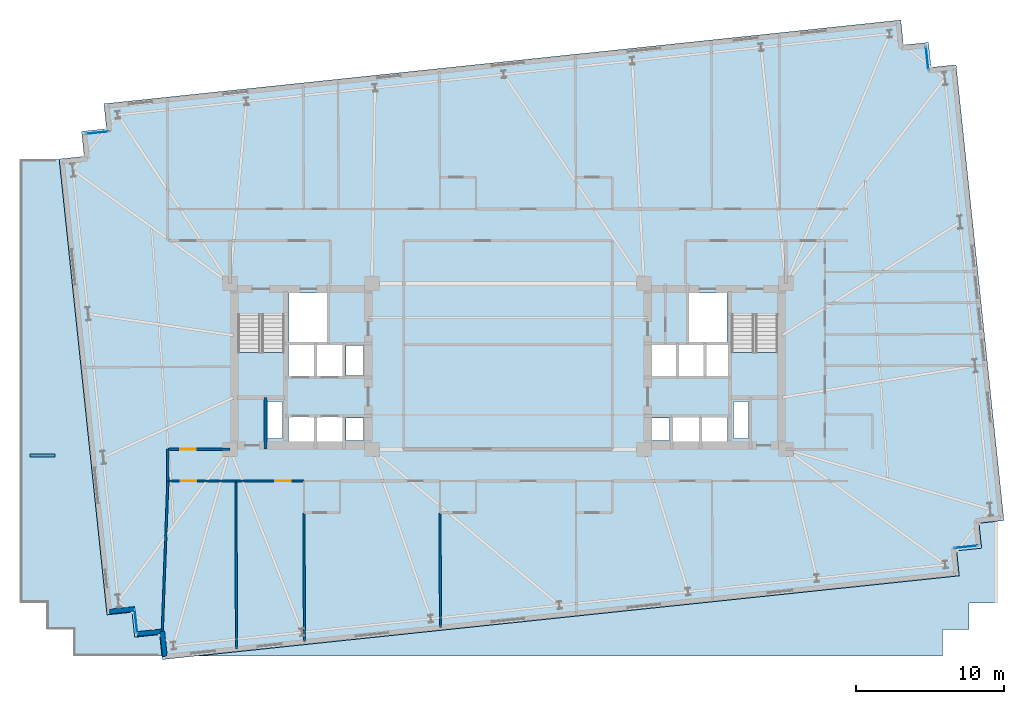
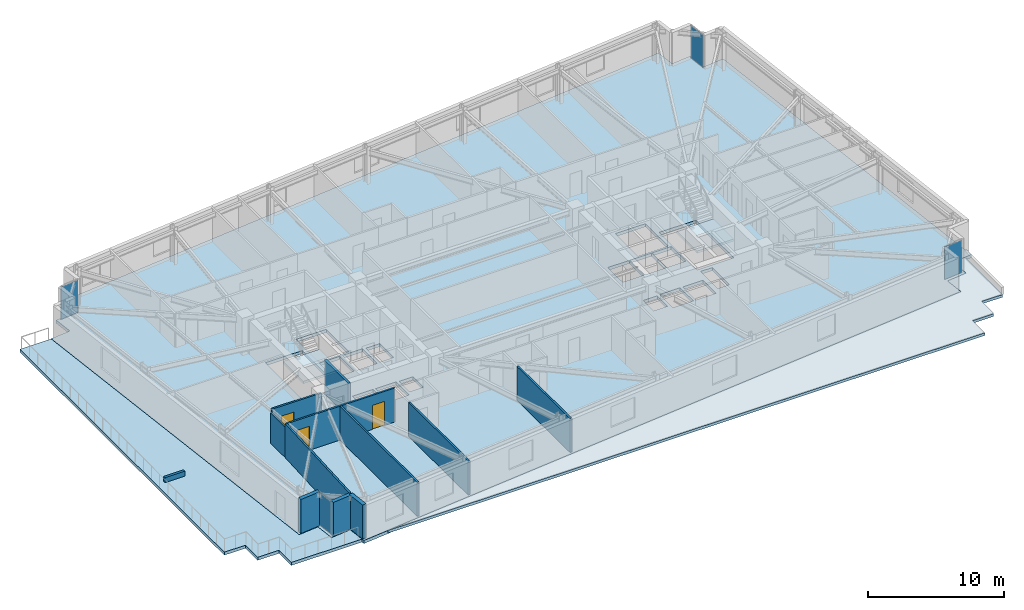
# One storey, part 11 of 20: 13 walls, 5 slabs, 4 plates, 3 doors, 3 openings, 6 elements without a shape of their own.
"""IFC4 building model written with IfcOpenShell, lengths in metres."""

from ifc_helpers import new_model, si_unit, direction, frame, frame_2d, origin, origin_2d, place, context, subcontext, project, spatial, polyline, rectangle, outline, extrude, material, layer, layer_set, type_object, element, fill, aggregate, save


model = new_model("IFC4")

# Units and contexts
model_context = context("Model", 3, precision=1e-05, world=origin(), true_north=direction((0.0, 1.0)))
body_context = subcontext(model_context, "Body", "Model", "MODEL_VIEW")
ifc_project = project(units=[si_unit("LENGTHUNIT", "METRE"), si_unit("AREAUNIT", "SQUARE_METRE"), si_unit("VOLUMEUNIT", "CUBIC_METRE"), si_unit("PLANEANGLEUNIT", "RADIAN"), si_unit("MASSUNIT", "GRAM", prefix="KILO")], contexts=[model_context])

# Site, building, storey
site_placement = place(None, origin())
site = spatial("IfcSite", under=ifc_project, at=site_placement, CompositionType="ELEMENT")
building_placement = place(site_placement, origin())
building = spatial("IfcBuilding", under=site, at=building_placement, Name="Qobustan Lattice House", CompositionType="ELEMENT")
storey_placement = place(building_placement, frame((0.0, 0.0, 79.0)))
storey = spatial("IfcBuildingStorey", under=building, at=storey_placement, Name="L21", CompositionType="ELEMENT", Elevation=79.0)

# Curtain wall, plate
ifc_material_1 = material(Name="Anodised aluminium and low-E glazing", Category="aluminium")
ifc_layer_1 = layer(ifc_material_1, 0.219970703125)
ifc_layer_set_1 = layer_set([ifc_layer_1], Name="Anodised aluminium and low-E glazing")
curtain_wall_type = type_object("IfcCurtainWallType", Name="CW-FAC-01", PredefinedType="USERDEFINED", material=ifc_layer_set_1)
curtain_wall_1_placement = place(storey_placement, origin())
curtain_wall_1 = element("IfcCurtainWall", 1, at=curtain_wall_1_placement, inside=storey, type_object=curtain_wall_type, Name="L21 serrated corner faceted glazing 3", ObjectType="CURTAIN WALL", PredefinedType="USERDEFINED")
ifc_material_2 = material(Name="Clear low-E laminated glass", Category="glass")
ifc_layer_2 = layer(ifc_material_2, 0.031982421875)
ifc_layer_set_2 = layer_set([ifc_layer_2], Name="Clear low-E laminated glass")
plate_type = type_object("IfcPlateType", Name="CWP-VISION-32", PredefinedType="CURTAIN_PANEL", material=ifc_layer_set_2)
plate_1_placement = place(storey_placement, frame((-25.155029296875, -17.2509765625, 0.06494140625), z_axis=(0.0, 0.0, 1.0), x_axis=(-0.104528620025, 0.994521878892, 0.0)))
plate_1 = element("IfcPlate", 2, at=plate_1_placement, type_object=plate_type, Name="CW-F1 panel 1.1", PredefinedType="CURTAIN_PANEL", context=body_context, shape_type="SweptSolid", body=[
    extrude(rectangle(XDim=1.56005859375, YDim=0.031982421875, at=origin_2d()), origin(), (0.0, 0.0, 1.0), 2.9150390625),
])
aggregate(curtain_wall_1, [plate_1])

curtain_wall_2_placement = place(storey_placement, origin())
curtain_wall_2 = element("IfcCurtainWall", 3, at=curtain_wall_2_placement, inside=storey, type_object=curtain_wall_type, Name="L21 serrated corner faceted glazing 8", ObjectType="CURTAIN WALL", PredefinedType="USERDEFINED")
plate_2_placement = place(storey_placement, frame((-27.77490234375, 15.80615234375, 0.06494140625), z_axis=(0.0, 0.0, 1.0), x_axis=(0.994521878892, 0.104528620025, 0.0)))
plate_2 = element("IfcPlate", 4, at=plate_2_placement, type_object=plate_type, Name="CW-F1 panel 1.1", PredefinedType="CURTAIN_PANEL", context=body_context, shape_type="SweptSolid", body=[
    extrude(rectangle(XDim=1.56005859375, YDim=0.031982421875, at=origin_2d()), origin(), (0.0, 0.0, 1.0), 2.9150390625),
])
aggregate(curtain_wall_2, [plate_2])

curtain_wall_3_placement = place(storey_placement, origin())
curtain_wall_3 = element("IfcCurtainWall", 5, at=curtain_wall_3_placement, inside=storey, type_object=curtain_wall_type, Name="L21 serrated corner faceted glazing 13", ObjectType="CURTAIN WALL", PredefinedType="USERDEFINED")
plate_3_placement = place(storey_placement, frame((28.355224609375, 20.85107421875, 0.06494140625), z_axis=(0.0, 0.0, 1.0), x_axis=(0.104528620025, -0.994521878892, 0.0)))
plate_3 = element("IfcPlate", 6, at=plate_3_placement, type_object=plate_type, Name="CW-F1 panel 1.1", PredefinedType="CURTAIN_PANEL", context=body_context, shape_type="SweptSolid", body=[
    extrude(rectangle(XDim=1.56005859375, YDim=0.031982421875, at=origin_2d()), origin(), (0.0, 0.0, 1.0), 2.9150390625),
])
aggregate(curtain_wall_3, [plate_3])

curtain_wall_4_placement = place(storey_placement, origin())
curtain_wall_4 = element("IfcCurtainWall", 7, at=curtain_wall_4_placement, inside=storey, type_object=curtain_wall_type, Name="L21 serrated corner faceted glazing 18", ObjectType="CURTAIN WALL", PredefinedType="USERDEFINED")
plate_4_placement = place(storey_placement, frame((30.974853515625, -12.206298828125, 0.06494140625), z_axis=(0.0, 0.0, 1.0), x_axis=(-0.994521878892, -0.104528620025, 0.0)))
plate_4 = element("IfcPlate", 8, at=plate_4_placement, type_object=plate_type, Name="CW-F1 panel 1.1", PredefinedType="CURTAIN_PANEL", context=body_context, shape_type="SweptSolid", body=[
    extrude(rectangle(XDim=1.56005859375, YDim=0.031982421875, at=origin_2d()), origin(), (0.0, 0.0, 1.0), 2.9150390625),
])
aggregate(curtain_wall_4, [plate_4])

# Slab
ifc_material_3 = material(Name="Concrete C45/55", Category="concrete")
ifc_layer_3 = layer(ifc_material_3, 0.280029296875)
ifc_layer_set_3 = layer_set([ifc_layer_3], Name="Concrete C45/55")
slab_type_1 = type_object("IfcSlabType", Name="SLB-FLR-280", PredefinedType="FLOOR", material=ifc_layer_set_3)
slab_1_placement = place(storey_placement, frame((0.0, 0.0, -0.280029296875)))
element("IfcSlab", 9, at=slab_1_placement, inside=storey, type_object=slab_type_1, Name="L21 structural floor slab", PredefinedType="FLOOR", context=body_context, shape_type="SweptSolid", body=[
    extrude(outline(polyline([(-23.3759765625, -19.8291015625), (30.527099609375, -14.163818359375), (30.349365234375, -12.47314453125), (32.0400390625, -12.29541015625), (31.8623046875, -10.604736328125), (33.552978515625, -10.427001953125), (30.312744140625, 20.4033203125), (28.6220703125, 20.2255859375), (28.4443359375, 21.916259765625), (26.753662109375, 21.738525390625), (26.575927734375, 23.42919921875), (-27.3271484375, 17.763671875), (-27.1494140625, 16.072998046875), (-28.840087890625, 15.8955078125), (-28.662353515625, 14.20458984375), (-30.35302734375, 14.027099609375), (-27.11279296875, -16.80322265625), (-25.422119140625, -16.62548828125), (-25.244384765625, -18.316162109375), (-23.5537109375, -18.138427734375), (-23.3759765625, -19.8291015625)]), holes=[polyline([(-18.25, -2.050048828125), (-18.25, 3.489990234375), (-15.1298828125, 3.489990234375), (-15.1298828125, -2.050048828125), (-18.25, -2.050048828125)]), polyline([(15.1298828125, -2.050048828125), (15.1298828125, 3.489990234375), (18.25, 3.489990234375), (18.25, -2.050048828125), (15.1298828125, -2.050048828125)]), polyline([(-14.820068359375, 1.64990234375), (-14.820068359375, 4.9599609375), (-12.25, 4.9599609375), (-12.25, 1.64990234375), (-14.820068359375, 1.64990234375)]), polyline([(12.25, 1.64990234375), (12.25, 4.9599609375), (14.820068359375, 4.9599609375), (14.820068359375, 1.64990234375), (12.25, 1.64990234375)]), polyline([(-16.260009765625, -4.8798828125), (-16.260009765625, -2.360107421875), (-15.260009765625, -2.360107421875), (-15.260009765625, -4.8798828125), (-16.260009765625, -4.8798828125)]), polyline([(15.260009765625, -4.8798828125), (15.260009765625, -2.360107421875), (16.260009765625, -2.360107421875), (16.260009765625, -4.8798828125), (15.260009765625, -4.8798828125)]), polyline([(-14.85009765625, -5.35009765625), (-14.85009765625, -3.419921875), (-13.1201171875, -3.419921875), (-13.1201171875, -5.35009765625), (-14.85009765625, -5.35009765625)]), polyline([(-12.919921875, -5.35009765625), (-12.919921875, -3.419921875), (-11.179931640625, -3.419921875), (-11.179931640625, -5.35009765625), (-12.919921875, -5.35009765625)]), polyline([(-14.85009765625, -0.679931640625), (-14.85009765625, 1.47998046875), (-13.1201171875, 1.47998046875), (-13.1201171875, -0.679931640625), (-14.85009765625, -0.679931640625)]), polyline([(-12.919921875, -0.679931640625), (-12.919921875, 1.47998046875), (-11.179931640625, 1.47998046875), (-11.179931640625, -0.679931640625), (-12.919921875, -0.679931640625)]), polyline([(-10.93994140625, -5.0), (-10.93994140625, -3.47998046875), (-9.760009765625, -3.47998046875), (-9.760009765625, -5.0), (-10.93994140625, -5.0)]), polyline([(-10.93994140625, -0.6201171875), (-10.93994140625, 1.419921875), (-9.760009765625, 1.419921875), (-9.760009765625, -0.6201171875), (-10.93994140625, -0.6201171875)]), polyline([(11.179931640625, -5.35009765625), (11.179931640625, -3.419921875), (12.919921875, -3.419921875), (12.919921875, -5.35009765625), (11.179931640625, -5.35009765625)]), polyline([(13.1201171875, -5.35009765625), (13.1201171875, -3.419921875), (14.85009765625, -3.419921875), (14.85009765625, -5.35009765625), (13.1201171875, -5.35009765625)]), polyline([(9.760009765625, -5.0), (9.760009765625, -3.47998046875), (10.93994140625, -3.47998046875), (10.93994140625, -5.0), (9.760009765625, -5.0)]), polyline([(13.360107421875, -0.679931640625), (13.360107421875, 1.47998046875), (14.97998046875, 1.47998046875), (14.97998046875, -0.679931640625), (13.360107421875, -0.679931640625)]), polyline([(9.6201171875, -0.679931640625), (9.6201171875, 1.47998046875), (11.43994140625, 1.47998046875), (11.43994140625, -0.679931640625), (9.6201171875, -0.679931640625)]), polyline([(11.5, -0.679931640625), (11.5, 1.47998046875), (13.320068359375, 1.47998046875), (13.320068359375, -0.679931640625), (11.5, -0.679931640625)])]), origin(), (0.0, 0.0, 1.0), 0.280029296875),
])

# Stair, slab
ifc_material_4 = material(Name="Concrete C40/50", Category="concrete")
stair_type = type_object("IfcStairType", Name="STR-CORE-DOGLEG", PredefinedType="HALF_TURN_STAIR", material=ifc_material_4)
stair_1_placement = place(storey_placement, origin())
stair_1 = element("IfcStair", 10, at=stair_1_placement, inside=storey, type_object=stair_type, Name="L21 West protected exit stair ST-W1", PredefinedType="HALF_TURN_STAIR")
ifc_material_5 = material(Name="Concrete C40/50", Category="concrete")
ifc_layer_4 = layer(ifc_material_5, 0.199951171875)
ifc_layer_set_4 = layer_set([ifc_layer_4], Name="Concrete C40/50")
slab_type_2 = type_object("IfcSlabType", Name="SLB-LANDING-200", PredefinedType="LANDING", material=ifc_layer_set_4)
slab_2_placement = place(storey_placement, frame((0.0, 0.0, 1.47509765625)))
slab_2 = element("IfcSlab", 11, at=slab_2_placement, type_object=slab_type_2, Name="ST-W1 landing 1", PredefinedType="LANDING", context=body_context, shape_type="SweptSolid", body=[
    extrude(outline(polyline([(-18.25, 0.93505859375), (-18.25, -2.050048828125), (-15.1298828125, -2.050048828125), (-15.1298828125, 0.93505859375), (-18.25, 0.93505859375)])), origin(), (0.0, 0.0, 1.0), 0.199951171875),
])
aggregate(stair_1, [slab_2])

stair_2_placement = place(storey_placement, origin())
stair_2 = element("IfcStair", 12, at=stair_2_placement, inside=storey, type_object=stair_type, Name="L21 East protected exit stair ST-E1", PredefinedType="HALF_TURN_STAIR")
slab_3_placement = place(storey_placement, frame((0.0, 0.0, 1.47509765625)))
slab_3 = element("IfcSlab", 13, at=slab_3_placement, type_object=slab_type_2, Name="ST-E1 landing 1", PredefinedType="LANDING", context=body_context, shape_type="SweptSolid", body=[
    extrude(outline(polyline([(15.1298828125, 0.93505859375), (15.1298828125, -2.050048828125), (18.25, -2.050048828125), (18.25, 0.93505859375), (15.1298828125, 0.93505859375)])), origin(), (0.0, 0.0, 1.0), 0.199951171875),
])
aggregate(stair_2, [slab_3])

# Slabs
ifc_material_6 = material(Name="Concrete C40/50", Category="concrete")
ifc_layer_5 = layer(ifc_material_6, 0.239990234375)
ifc_layer_set_5 = layer_set([ifc_layer_5], Name="Concrete C40/50")
slab_type_3 = type_object("IfcSlabType", Name="SLB-ROOF-240", PredefinedType="ROOF", material=ifc_layer_set_5)
slab_4_placement = place(storey_placement, frame((0.0, 0.0, -0.239990234375)))
element("IfcSlab", 14, at=slab_4_placement, inside=storey, type_object=slab_type_3, Name="L21 setback maintenance roof slab 1", PredefinedType="ROOF", context=body_context, shape_type="SweptSolid", body=[
    extrude(outline(polyline([(33.0, -16.0), (33.0, -10.485107421875), (31.8623046875, -10.604736328125), (32.0400390625, -12.29541015625), (30.349365234375, -12.47314453125), (30.527099609375, -14.163818359375), (-21.1953125, -19.60009765625), (29.39990234375, -19.60009765625), (29.39990234375, -17.800048828125), (31.199951171875, -17.800048828125), (31.199951171875, -16.0), (33.0, -16.0)])), origin(), (0.0, 0.0, 1.0), 0.239990234375),
])
ifc_material_7 = material(Name="Concrete C40/50", Category="concrete")
ifc_layer_6 = layer(ifc_material_7, 0.27001953125)
ifc_layer_set_6 = layer_set([ifc_layer_6], Name="Concrete C40/50")
slab_type_4 = type_object("IfcSlabType", Name="SLB-TER-270", PredefinedType="FLOOR", material=ifc_layer_set_6)
slab_5_placement = place(storey_placement, frame((0.0, 0.0, -0.27001953125)))
element("IfcSlab", 15, at=slab_5_placement, inside=storey, type_object=slab_type_4, Name="L21 SW planted spiral terrace slab", PredefinedType="FLOOR", context=body_context, shape_type="SweptSolid", body=[
    extrude(outline(polyline([(-29.39990234375, -19.60009765625), (-23.400146484375, -19.60009765625), (-23.5537109375, -18.138427734375), (-25.244384765625, -18.316162109375), (-25.422119140625, -16.62548828125), (-27.11279296875, -16.80322265625), (-30.350341796875, 14.0), (-33.0, 14.0), (-33.0, -16.0), (-31.199951171875, -16.0), (-31.199951171875, -17.800048828125), (-29.39990234375, -17.800048828125), (-29.39990234375, -19.60009765625)])), origin(), (0.0, 0.0, 1.0), 0.27001953125),
])

# Walls
ifc_material_8 = material(Name="Precast concrete C40/50", Category="concrete")
ifc_layer_7 = layer(ifc_material_8, 0.320068359375)
ifc_layer_set_7 = layer_set([ifc_layer_7], Name="Precast concrete C40/50")
wall_type_1 = type_object("IfcWallType", Name="WAL-EXT-STONE-320", PredefinedType="SOLIDWALL", material=ifc_layer_set_7)
for number, where, z_axis, x_axis, name in (
    (16, (-23.197998046875, -19.609375, 0.0), (0.0, 0.0, 1.0), (-0.104550220202, 0.994519608382, 0.0), "L21 exterior limestone-clad wall 1"),
    (17, (-23.375732421875, -17.918701171875, 0.0), (0.0, 0.0, 1.0), (-0.994519608382, -0.104550220202, 0.0), "L21 exterior limestone-clad wall 2"),
):
    element("IfcWall", number, at=place(storey_placement, frame(where, z_axis=z_axis, x_axis=x_axis)), inside=storey, type_object=wall_type_1, Name=name, PredefinedType="SOLIDWALL", context=body_context, shape_type="SweptSolid", body=[
        extrude(rectangle(XDim=1.699951171875, YDim=0.320068359375, at=frame_2d((0.85009765625, 0.0))), origin(), (0.0, 0.0, 1.0), 3.044921875),
    ])
wall_1_placement = place(storey_placement, frame((-25.243896484375, -16.40576171875, 0.0), z_axis=(0.0, 0.0, 1.0), x_axis=(-0.994521177842, -0.104535289845, 0.0)))
element("IfcWall", 18, at=wall_1_placement, inside=storey, type_object=wall_type_1, Name="L21 exterior limestone-clad wall 4", PredefinedType="SOLIDWALL", context=body_context, shape_type="SweptSolid", body=[
    extrude(rectangle(XDim=1.7001953125, YDim=0.320068359375, at=frame_2d((0.85009765625, 0.0))), origin(), (0.0, 0.0, 1.0), 3.044921875),
])

# Wall, opening, door
ifc_material_9 = material(Name="Acoustic twin-stud gypsum partition", Category="gypsum")
ifc_layer_8 = layer(ifc_material_9, 0.14990234375)
ifc_layer_set_8 = layer_set([ifc_layer_8], Name="Acoustic twin-stud gypsum partition")
wall_type_2 = type_object("IfcWallType", Name="WAL-PART-150", PredefinedType="PARTITIONING", material=ifc_layer_set_8)
wall_2_placement = place(storey_placement, frame((-23.0, -5.60009765625, 0.0), z_axis=(0.0, 0.0, 1.0), x_axis=(1.0, 0.0, 0.0)))
wall_2 = element("IfcWall", 19, at=wall_2_placement, inside=storey, type_object=wall_type_2, Name="L21 interior partition 52", PredefinedType="PARTITIONING", context=body_context, shape_type="SweptSolid", body=[
    extrude(rectangle(XDim=4.199951171875, YDim=0.14990234375, at=frame_2d((2.10009765625, 0.0))), origin(), (0.0, 0.0, 1.0), 3.044921875),
])
opening_1_placement = place(wall_2_placement, frame((0.82861328125, 0.0, 0.0)))
opening_1 = element("IfcOpeningElement", 20, at=opening_1_placement, cuts=wall_2, Name="Opening ID-02", PredefinedType="OPENING", context=body_context, shape_type="SweptSolid", body=[
    extrude(rectangle(XDim=1.050048828125, YDim=2.14990234375, at=frame_2d((0.52490234375, 1.074951171875))), frame((0.0, 0.0849609375, 0.0), z_axis=(0.0, -1.0, 0.0), x_axis=(1.0, 0.0, 0.0)), (0.0, 0.0, 1.0), 0.169921875),
])
ifc_material_10 = material(Name="Persian walnut timber and steel frame door", Category="steel")
door_type = type_object("IfcDoorType", Name="DOR-STUDY-1050x2150", OperationType="NOTDEFINED", PredefinedType="DOOR", material=ifc_material_10)
door_1_placement = place(opening_1_placement, origin())
door_1 = element("IfcDoor", 21, at=door_1_placement, inside=storey, type_object=door_type, Name="L21 South-west floor corridor to Spiral terrace south lounge door", OperationType="SINGLE_SWING_RIGHT", OverallHeight=2.14990234375, OverallWidth=1.050048828125, PredefinedType="DOOR", context=body_context, shape_type="SweptSolid", body=[
    extrude(rectangle(XDim=1.050048828125, YDim=2.14990234375, at=frame_2d((0.52490234375, 1.074951171875))), frame((0.0, 0.02490234375, 0.0), z_axis=(0.0, -1.0, 0.0), x_axis=(1.0, 0.0, 0.0)), (0.0, 0.0, 1.0), 0.050048828125),
])
fill(opening_1, door_1)

# Wall
wall_3_placement = place(storey_placement, frame((-23.0, -7.75, 0.0), z_axis=(0.0, 0.0, 1.0), x_axis=(0.0, 1.0, 0.0)))
element("IfcWall", 22, at=wall_3_placement, inside=storey, type_object=wall_type_2, Name="L21 interior partition 53", PredefinedType="PARTITIONING", context=body_context, shape_type="SweptSolid", body=[
    extrude(rectangle(XDim=2.14990234375, YDim=0.14990234375, at=frame_2d((1.074951171875, 0.0))), origin(), (0.0, 0.0, 1.0), 2.699951171875),
])

# Wall, opening, door
wall_4_placement = place(storey_placement, frame((-18.39990234375, -7.75, 0.0), z_axis=(0.0, 0.0, 1.0), x_axis=(-1.0, 0.0, 0.0)))
wall_4 = element("IfcWall", 23, at=wall_4_placement, inside=storey, type_object=wall_type_2, Name="L21 interior partition 54", PredefinedType="PARTITIONING", context=body_context, shape_type="SweptSolid", body=[
    extrude(rectangle(XDim=4.60009765625, YDim=0.14990234375, at=frame_2d((2.300048828125, 0.0))), origin(), (0.0, 0.0, 1.0), 3.044921875),
])
opening_2_placement = place(wall_4_placement, frame((2.67138671875, 0.0, 0.0)))
opening_2 = element("IfcOpeningElement", 24, at=opening_2_placement, cuts=wall_4, Name="Opening ID-02", PredefinedType="OPENING", context=body_context, shape_type="SweptSolid", body=[
    extrude(rectangle(XDim=1.050048828125, YDim=2.14990234375, at=frame_2d((0.52490234375, 1.074951171875))), frame((0.0, 0.0849609375, 0.0), z_axis=(0.0, -1.0, 0.0), x_axis=(1.0, 0.0, 0.0)), (0.0, 0.0, 1.0), 0.169921875),
])
door_2_placement = place(opening_2_placement, origin())
door_2 = element("IfcDoor", 25, at=door_2_placement, inside=storey, type_object=door_type, Name="L21 South-west floor corridor to Focus study room S1A door", OperationType="SINGLE_SWING_LEFT", OverallHeight=2.14990234375, OverallWidth=1.050048828125, PredefinedType="DOOR", context=body_context, shape_type="SweptSolid", body=[
    extrude(rectangle(XDim=1.050048828125, YDim=2.14990234375, at=frame_2d((0.52490234375, 1.074951171875))), frame((0.0, 0.02490234375, 0.0), z_axis=(0.0, -1.0, 0.0), x_axis=(1.0, 0.0, 0.0)), (0.0, 0.0, 1.0), 0.050048828125),
])
fill(opening_2, door_2)

wall_5_placement = place(storey_placement, frame((-13.800048828125, -7.75, 0.0), z_axis=(0.0, 0.0, 1.0), x_axis=(-1.0, 0.0, 0.0)))
wall_5 = element("IfcWall", 26, at=wall_5_placement, inside=storey, type_object=wall_type_2, Name="L21 interior partition 55", PredefinedType="PARTITIONING", context=body_context, shape_type="SweptSolid", body=[
    extrude(rectangle(XDim=4.599853515625, YDim=0.14990234375, at=frame_2d((2.2998046875, 0.0))), origin(), (0.0, 0.0, 1.0), 3.044921875),
])
opening_3_placement = place(wall_5_placement, frame((0.878662109375, 0.0, 0.0)))
opening_3 = element("IfcOpeningElement", 27, at=opening_3_placement, cuts=wall_5, Name="Opening ID-02", PredefinedType="OPENING", context=body_context, shape_type="SweptSolid", body=[
    extrude(rectangle(XDim=1.050048828125, YDim=2.14990234375, at=frame_2d((0.52490234375, 1.074951171875))), frame((0.0, 0.0849609375, 0.0), z_axis=(0.0, -1.0, 0.0), x_axis=(1.0, 0.0, 0.0)), (0.0, 0.0, 1.0), 0.169921875),
])
door_3_placement = place(opening_3_placement, origin())
door_3 = element("IfcDoor", 28, at=door_3_placement, inside=storey, type_object=door_type, Name="L21 South-west floor corridor to Focus study room S1B door", OperationType="SINGLE_SWING_RIGHT", OverallHeight=2.14990234375, OverallWidth=1.050048828125, PredefinedType="DOOR", context=body_context, shape_type="SweptSolid", body=[
    extrude(rectangle(XDim=1.050048828125, YDim=2.14990234375, at=frame_2d((0.52490234375, 1.074951171875))), frame((0.0, 0.02490234375, 0.0), z_axis=(0.0, -1.0, 0.0), x_axis=(1.0, 0.0, 0.0)), (0.0, 0.0, 1.0), 0.050048828125),
])
fill(opening_3, door_3)

# Walls
wall_6_placement = place(storey_placement, frame((-23.0, -7.75, 0.0), z_axis=(0.0, 0.0, 1.0), x_axis=(-0.036924695214, -0.999318050914, 0.0)))
element("IfcWall", 29, at=wall_6_placement, inside=storey, type_object=wall_type_2, Name="L21 interior partition 73", PredefinedType="PARTITIONING", context=body_context, shape_type="SweptSolid", body=[
    extrude(rectangle(XDim=10.175537109375, YDim=0.14990234375, at=frame_2d((5.087890625, 0.0))), origin(), (0.0, 0.0, 1.0), 3.044921875),
])
wall_7_placement = place(storey_placement, frame((-18.39990234375, -7.75, 0.0), z_axis=(0.0, 0.0, 1.0), x_axis=(0.003850096217, -0.999992588352, 0.0)))
element("IfcWall", 30, at=wall_7_placement, inside=storey, type_object=wall_type_2, Name="L21 interior partition 99", PredefinedType="PARTITIONING", context=body_context, shape_type="SweptSolid", body=[
    extrude(rectangle(XDim=11.3505859375, YDim=0.14990234375, at=frame_2d((5.67529296875, 0.0))), origin(), (0.0, 0.0, 1.0), 3.044921875),
])
wall_8_placement = place(storey_placement, frame((-13.800048828125, -9.89990234375, 0.0), z_axis=(0.0, 0.0, 1.0), x_axis=(0.00504124668, -0.999987292835, 0.0)))
element("IfcWall", 31, at=wall_8_placement, inside=storey, type_object=wall_type_2, Name="L21 interior partition 100", PredefinedType="PARTITIONING", context=body_context, shape_type="SweptSolid", body=[
    extrude(rectangle(XDim=8.717041015625, YDim=0.14990234375, at=frame_2d((4.3583984375, 0.0))), origin(), (0.0, 0.0, 1.0), 3.044921875),
])
wall_9_placement = place(storey_placement, frame((-4.60009765625, -9.89990234375, 0.0), z_axis=(0.0, 0.0, 1.0), x_axis=(0.005670271746, -0.99998392388, 0.0)))
element("IfcWall", 32, at=wall_9_placement, inside=storey, type_object=wall_type_2, Name="L21 interior partition 104", PredefinedType="PARTITIONING", context=body_context, shape_type="SweptSolid", body=[
    extrude(rectangle(XDim=7.750244140625, YDim=0.14990234375, at=frame_2d((3.875, 0.0))), origin(), (0.0, 0.0, 1.0), 3.044921875),
])
ifc_material_11 = material(Name="Qobustan buff limestone", Category="masonry")
ifc_layer_9 = layer(ifc_material_11, 0.199951171875)
ifc_layer_set_9 = layer_set([ifc_layer_9], Name="Qobustan buff limestone")
wall_type_3 = type_object("IfcWallType", Name="WAL-PLANTER-200", PredefinedType="USERDEFINED", material=ifc_layer_set_9)
wall_10_placement = place(storey_placement, frame((-32.330810546875, -6.01904296875, 0.0), z_axis=(0.0, 0.0, 1.0), x_axis=(1.0, 0.0, 0.0)))
element("IfcWall", 33, at=wall_10_placement, inside=storey, type_object=wall_type_3, Name="L21 planted terrace stone planter", ObjectType="PLANTER", PredefinedType="USERDEFINED", context=body_context, shape_type="SweptSolid", body=[
    extrude(rectangle(XDim=1.7001953125, YDim=0.199951171875, at=frame_2d((0.85009765625, 0.0))), origin(), (0.0, 0.0, 1.0), 0.449951171875),
])
ifc_material_12 = material(Name="Concrete C40/50", Category="concrete")
ifc_layer_10 = layer(ifc_material_12, 0.199951171875)
ifc_layer_set_10 = layer_set([ifc_layer_10], Name="Concrete C40/50")
wall_type_4 = type_object("IfcWallType", Name="WAL-SHAFT-200", PredefinedType="PARTITIONING", material=ifc_layer_set_10)
wall_11_placement = place(storey_placement, frame((-16.39990234375, -5.60009765625, 0.0), z_axis=(0.0, 0.0, 1.0), x_axis=(0.0, 1.0, 0.0)))
element("IfcWall", 34, at=wall_11_placement, inside=storey, type_object=wall_type_4, Name="L21 interior partition 1", PredefinedType="PARTITIONING", context=body_context, shape_type="SweptSolid", body=[
    extrude(rectangle(XDim=3.489990234375, YDim=0.199951171875, at=frame_2d((1.7451171875, 0.0))), origin(), (0.0, 0.0, 1.0), 3.044921875),
])

save(model, "model.ifc")
